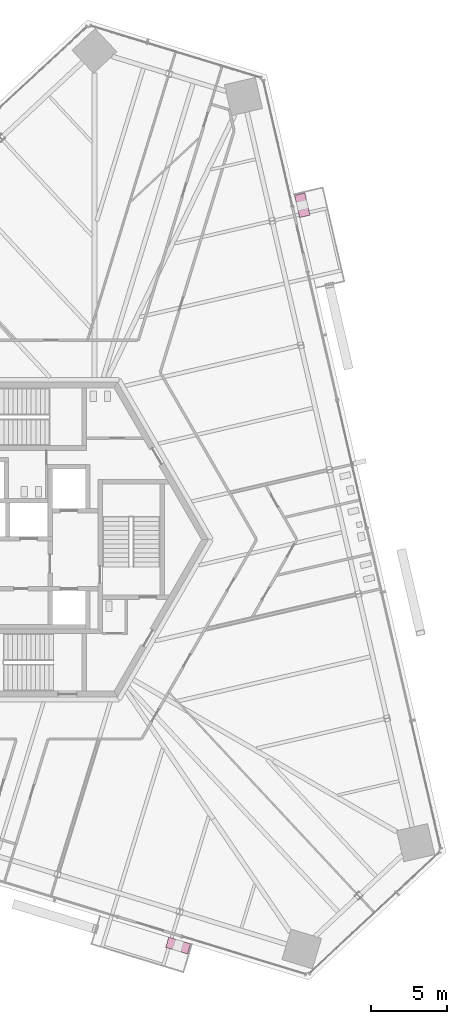
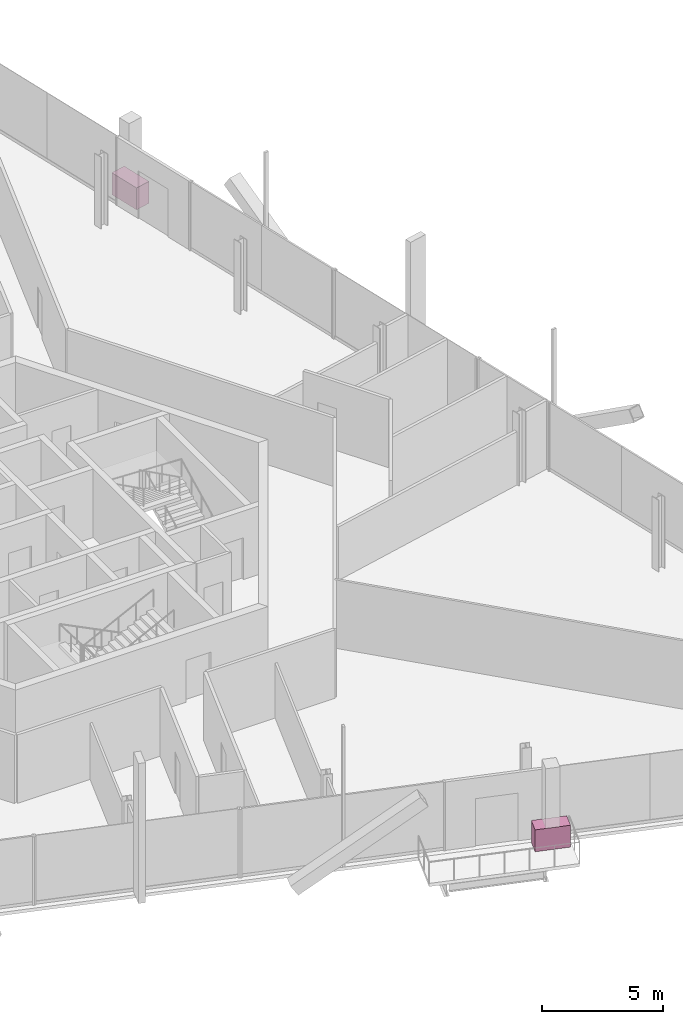
# One storey, part 20 of 21: 2 furniture elements.
"""IFC4 building model written with IfcOpenShell, lengths in metres."""

from ifc_helpers import new_model, si_unit, direction, frame, origin, origin_2d, place, context, subcontext, project, spatial, rectangle, extrude, source, transform, mapped, material, type_object, element, save


model = new_model("IFC4")

# Units and contexts
model_context = context("Model", 3, precision=1e-05, world=origin(), true_north=direction((0.0, 1.0)))
body_context = subcontext(model_context, "Body", "Model", "MODEL_VIEW")
ifc_project = project(units=[si_unit("LENGTHUNIT", "METRE"), si_unit("AREAUNIT", "SQUARE_METRE"), si_unit("VOLUMEUNIT", "CUBIC_METRE"), si_unit("PLANEANGLEUNIT", "RADIAN"), si_unit("MASSUNIT", "GRAM", prefix="KILO")], contexts=[model_context])

# Site, building, storey
site_placement = place(None, origin())
site = spatial("IfcSite", under=ifc_project, at=site_placement, CompositionType="ELEMENT")
building_placement = place(site_placement, origin())
building = spatial("IfcBuilding", under=site, at=building_placement, Name="Triune Harvest Tower", CompositionType="ELEMENT")
storey_placement = place(building_placement, frame((0.0, 0.0, 119.89990234375)))
storey = spatial("IfcBuildingStorey", under=building, at=storey_placement, Name="L30", CompositionType="ELEMENT", Elevation=119.89990234375)

# Furniture
ifc_material = material(Name="Concrete 40 MPa", Category="concrete")
furniture_type = type_object("IfcFurnitureType", Name="PB-1 structural planter", AssemblyPlace="SITE", PredefinedType="USERDEFINED", material=ifc_material)
shared_shape = source(origin(), body_context, "Body", "SweptSolid", [
    extrude(rectangle(XDim=1.5, YDim=0.699951171875, at=origin_2d()), origin(), (0.0, 0.0, 1.0), 1.10009765625),
])
for number, where, z_axis, x_axis, name in (
    (1, (18.181884765625, 22.041748046875, 0.0), (0.0, 0.0, 1.0), (-0.22495121687, 0.974370027263, 0.0), "Planter B3-F1 L30.10b"),
    (2, (9.997802734375, -26.766845703125, 0.0), (0.0, 0.0, 1.0), (0.956304229664, -0.292373426164, 0.0), "Planter B3-F5 L30.10b"),
):
    element("IfcFurniture", number, at=place(storey_placement, frame(where, z_axis=z_axis, x_axis=x_axis)), inside=storey, type_object=furniture_type, Name=name, ObjectType="PLANTER", PredefinedType="USERDEFINED", context=body_context, shape_type="MappedRepresentation", body=[
        mapped(shared_shape, transform((0.0, 0.0, 0.0), scale=1.0)),
    ])

save(model, "model.ifc")
